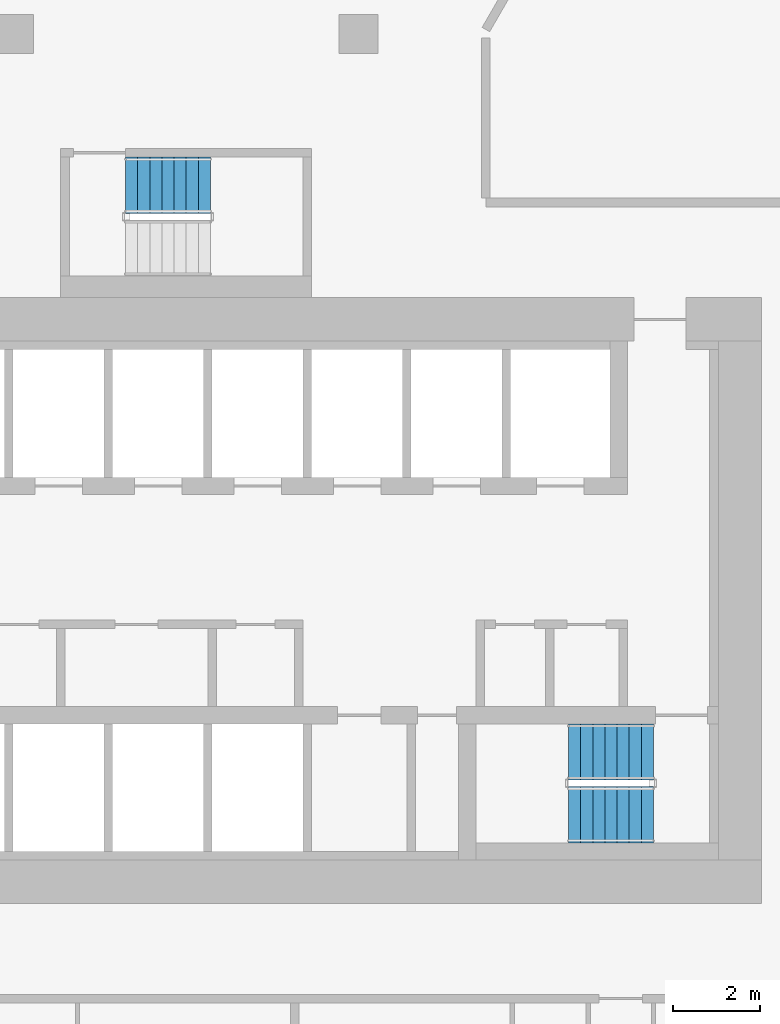
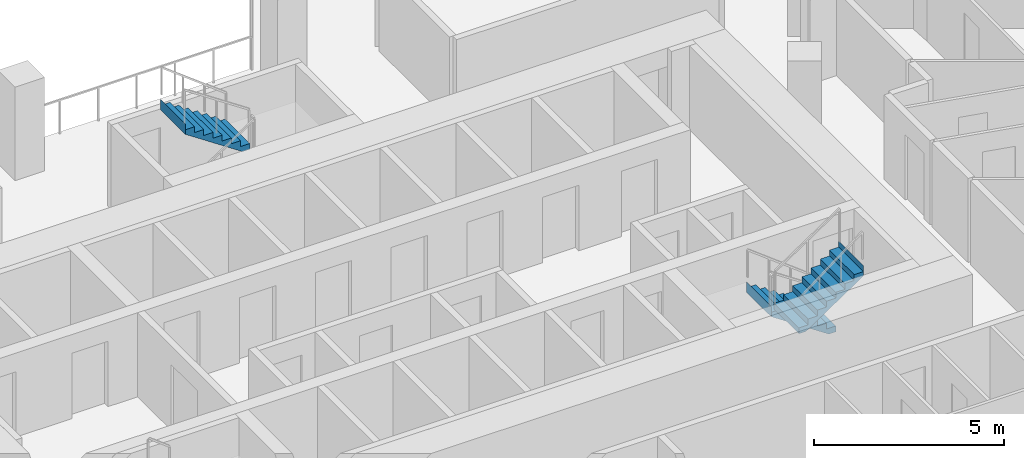
# One storey, part 12 of 16: 3 stair flights, 2 elements without a shape of their own.
"""IFC4 building model written with IfcOpenShell, lengths in metres."""

from ifc_helpers import new_model, si_unit, direction, frame, origin, place, context, subcontext, project, spatial, triangles, material, type_object, element, aggregate, save


model = new_model("IFC4")

# Units and contexts
model_context = context("Model", 3, precision=1e-05, world=origin(), true_north=direction((0.0, 1.0)))
body_context = subcontext(model_context, "Body", "Model", "MODEL_VIEW")
ifc_project = project(units=[si_unit("LENGTHUNIT", "METRE"), si_unit("AREAUNIT", "SQUARE_METRE"), si_unit("VOLUMEUNIT", "CUBIC_METRE"), si_unit("PLANEANGLEUNIT", "RADIAN"), si_unit("MASSUNIT", "GRAM", prefix="KILO")], contexts=[model_context])

# Site, building, storey
site_placement = place(None, origin())
site = spatial("IfcSite", under=ifc_project, at=site_placement, CompositionType="ELEMENT")
building_placement = place(site_placement, origin())
building = spatial("IfcBuilding", under=site, at=building_placement, Name="Beryl Residences", CompositionType="ELEMENT")
storey_placement = place(building_placement, frame((0.0, 0.0, 90.0)))
storey = spatial("IfcBuildingStorey", under=building, at=storey_placement, Name="L27", CompositionType="ELEMENT", Elevation=90.0)

# Stair, stair flights
ifc_material_1 = material(Name="Concrete C40/50", Category="concrete")
stair_type = type_object("IfcStairType", Name="ST1 protected exit stair, half-turn, 1300 mm flights", PredefinedType="HALF_TURN_STAIR", material=ifc_material_1)
stair_1_placement = place(storey_placement, origin())
stair_1 = element("IfcStair", 1, at=stair_1_placement, inside=storey, type_object=stair_type, Name="L27 PROTECTED EXIT STAIR ST-3", PredefinedType="HALF_TURN_STAIR")
ifc_material_2 = material(Name="Concrete C40/50", Category="concrete")
stair_flight_type = type_object("IfcStairFlightType", Name="SF1 stair flight 1300 mm", PredefinedType="STRAIGHT", material=ifc_material_2)
stair_flight_1_placement = place(storey_placement, frame((10.800048828125, -15.5, 0.0), z_axis=(0.0, 0.0, 1.0), x_axis=(-1.0, 0.0, 0.0)))
stair_flight_1 = element("IfcStairFlight", 2, at=stair_flight_1_placement, type_object=stair_flight_type, Name="ST-3 flight 1", NumberOfRisers=8, NumberOfTreads=7, PredefinedType="STRAIGHT", RiserHeight=0.1875, TreadLength=0.28, context=body_context, shape_type="Tessellation", body=[
    triangles([(0.0, -0.64990234375, 0.0), (0.0, -0.324951171875, 0.0), (0.0, 0.0, 0.0), (0.0, 0.324951171875, 0.0), (0.0, 0.64990234375, 0.0), (0.0, -0.64990234375, 0.1875), (0.0, -0.324951171875, 0.1875), (0.0, 0.0, 0.1875), (0.0, 0.324951171875, 0.1875), (0.0, 0.64990234375, 0.1875), (0.280029296875, -0.64990234375, 0.1875), (0.280029296875, -0.324951171875, 0.1875), (0.280029296875, 0.0, 0.1875), (0.280029296875, 0.324951171875, 0.1875), (0.280029296875, 0.64990234375, 0.1875), (0.280029296875, -0.64990234375, 0.375), (0.280029296875, -0.324951171875, 0.375), (0.280029296875, 0.0, 0.375), (0.280029296875, 0.324951171875, 0.375), (0.280029296875, 0.64990234375, 0.375), (0.56005859375, -0.64990234375, 0.375), (0.56005859375, -0.324951171875, 0.375), (0.56005859375, 0.0, 0.375), (0.56005859375, 0.324951171875, 0.375), (0.56005859375, 0.64990234375, 0.375), (0.56005859375, -0.64990234375, 0.5625), (0.56005859375, -0.324951171875, 0.5625), (0.56005859375, 0.0, 0.5625), (0.56005859375, 0.324951171875, 0.5625), (0.56005859375, 0.64990234375, 0.5625), (0.840087890625, -0.64990234375, 0.5625), (0.840087890625, -0.324951171875, 0.5625), (0.840087890625, 0.0, 0.5625), (0.840087890625, 0.324951171875, 0.5625), (0.840087890625, 0.64990234375, 0.5625), (0.840087890625, -0.64990234375, 0.75), (0.840087890625, -0.324951171875, 0.75), (0.840087890625, 0.0, 0.75), (0.840087890625, 0.324951171875, 0.75), (0.840087890625, 0.64990234375, 0.75), (1.1201171875, -0.64990234375, 0.75), (1.1201171875, -0.324951171875, 0.75), (1.1201171875, 0.0, 0.75), (1.1201171875, 0.324951171875, 0.75), (1.1201171875, 0.64990234375, 0.75), (1.1201171875, -0.64990234375, 0.9375), (1.1201171875, -0.324951171875, 0.9375), (1.1201171875, 0.0, 0.9375), (1.1201171875, 0.324951171875, 0.9375), (1.1201171875, 0.64990234375, 0.9375), (1.39990234375, -0.64990234375, 0.9375), (1.39990234375, -0.324951171875, 0.9375), (1.39990234375, 0.0, 0.9375), (1.39990234375, 0.324951171875, 0.9375), (1.39990234375, 0.64990234375, 0.9375), (1.39990234375, -0.64990234375, 1.125), (1.39990234375, -0.324951171875, 1.125), (1.39990234375, 0.0, 1.125), (1.39990234375, 0.324951171875, 1.125), (1.39990234375, 0.64990234375, 1.125), (1.679931640625, -0.64990234375, 1.125), (1.679931640625, -0.324951171875, 1.125), (1.679931640625, 0.0, 1.125), (1.679931640625, 0.324951171875, 1.125), (1.679931640625, 0.64990234375, 1.125), (1.679931640625, -0.64990234375, 1.3125), (1.679931640625, -0.324951171875, 1.3125), (1.679931640625, 0.0, 1.3125), (1.679931640625, 0.324951171875, 1.3125), (1.679931640625, 0.64990234375, 1.3125), (1.9599609375, -0.64990234375, 1.3125), (1.9599609375, -0.324951171875, 1.3125), (1.9599609375, 0.0, 1.3125), (1.9599609375, 0.324951171875, 1.3125), (1.9599609375, 0.64990234375, 1.3125), (1.9599609375, -0.64990234375, 1.5), (1.9599609375, -0.324951171875, 1.5), (1.9599609375, 0.0, 1.5), (1.9599609375, 0.324951171875, 1.5), (1.9599609375, 0.64990234375, 1.5), (1.9609375, -0.64990234375, 1.5), (1.9609375, -0.324951171875, 1.5), (1.9609375, 0.0, 1.5), (1.9609375, 0.324951171875, 1.5), (1.9609375, 0.64990234375, 1.5), (1.9609375, -0.64990234375, 1.16796875), (1.9609375, -0.324951171875, 1.16796875), (1.9609375, 0.0, 1.16796875), (1.9609375, 0.324951171875, 1.16796875), (1.9609375, 0.64990234375, 1.16796875), (0.216796875, -0.64990234375, 0.0), (0.216796875, -0.324951171875, 0.0), (0.216796875, 0.0, 0.0), (0.216796875, 0.324951171875, 0.0), (0.216796875, 0.64990234375, 0.0)], [[1, 6, 7], [1, 7, 2], [2, 7, 8], [2, 8, 3], [3, 8, 9], [3, 9, 4], [4, 9, 10], [4, 10, 5], [6, 11, 12], [6, 12, 7], [7, 12, 13], [7, 13, 8], [8, 13, 14], [8, 14, 9], [9, 14, 15], [9, 15, 10], [11, 16, 17], [11, 17, 12], [12, 17, 18], [12, 18, 13], [13, 18, 19], [13, 19, 14], [14, 19, 20], [14, 20, 15], [16, 21, 22], [16, 22, 17], [17, 22, 23], [17, 23, 18], [18, 23, 24], [18, 24, 19], [19, 24, 25], [19, 25, 20], [21, 26, 27], [21, 27, 22], [22, 27, 28], [22, 28, 23], [23, 28, 29], [23, 29, 24], [24, 29, 30], [24, 30, 25], [26, 31, 32], [26, 32, 27], [27, 32, 33], [27, 33, 28], [28, 33, 34], [28, 34, 29], [29, 34, 35], [29, 35, 30], [31, 36, 37], [31, 37, 32], [32, 37, 38], [32, 38, 33], [33, 38, 39], [33, 39, 34], [34, 39, 40], [34, 40, 35], [36, 41, 42], [36, 42, 37], [37, 42, 43], [37, 43, 38], [38, 43, 44], [38, 44, 39], [39, 44, 45], [39, 45, 40], [41, 46, 47], [41, 47, 42], [42, 47, 48], [42, 48, 43], [43, 48, 49], [43, 49, 44], [44, 49, 50], [44, 50, 45], [46, 51, 52], [46, 52, 47], [47, 52, 53], [47, 53, 48], [48, 53, 54], [48, 54, 49], [49, 54, 55], [49, 55, 50], [51, 56, 57], [51, 57, 52], [52, 57, 58], [52, 58, 53], [53, 58, 59], [53, 59, 54], [54, 59, 60], [54, 60, 55], [56, 61, 62], [56, 62, 57], [57, 62, 63], [57, 63, 58], [58, 63, 64], [58, 64, 59], [59, 64, 65], [59, 65, 60], [61, 66, 67], [61, 67, 62], [62, 67, 68], [62, 68, 63], [63, 68, 69], [63, 69, 64], [64, 69, 70], [64, 70, 65], [66, 71, 72], [66, 72, 67], [67, 72, 73], [67, 73, 68], [68, 73, 74], [68, 74, 69], [69, 74, 75], [69, 75, 70], [71, 76, 77], [71, 77, 72], [72, 77, 78], [72, 78, 73], [73, 78, 79], [73, 79, 74], [74, 79, 80], [74, 80, 75], [76, 81, 82], [76, 82, 77], [77, 82, 83], [77, 83, 78], [78, 83, 84], [78, 84, 79], [79, 84, 85], [79, 85, 80], [81, 86, 87], [81, 87, 82], [82, 87, 88], [82, 88, 83], [83, 88, 89], [83, 89, 84], [84, 89, 90], [84, 90, 85], [86, 91, 92], [86, 92, 87], [87, 92, 93], [87, 93, 88], [88, 93, 94], [88, 94, 89], [89, 94, 95], [89, 95, 90], [91, 1, 2], [91, 2, 92], [92, 2, 3], [92, 3, 93], [93, 3, 4], [93, 4, 94], [94, 4, 5], [94, 5, 95], [1, 91, 86], [5, 90, 95], [86, 81, 76], [90, 80, 85], [86, 76, 71], [90, 75, 80], [86, 71, 66], [90, 70, 75], [86, 66, 61], [90, 65, 70], [61, 56, 51], [65, 55, 60], [86, 61, 51], [90, 55, 65], [51, 46, 41], [55, 45, 50], [86, 51, 41], [90, 45, 55], [41, 36, 31], [45, 35, 40], [86, 41, 31], [90, 35, 45], [31, 26, 21], [35, 25, 30], [86, 31, 21], [90, 25, 35], [21, 16, 11], [25, 15, 20], [86, 21, 11], [90, 15, 25], [1, 86, 11], [5, 15, 90], [11, 6, 1], [15, 5, 10]], closed=True),
])
stair_flight_2_placement = place(storey_placement, frame((8.840087890625, -16.949951171875, 1.5), z_axis=(0.0, 0.0, 1.0), x_axis=(1.0, 0.0, 0.0)))
stair_flight_2 = element("IfcStairFlight", 3, at=stair_flight_2_placement, type_object=stair_flight_type, Name="ST-3 flight 2", NumberOfRisers=8, NumberOfTreads=7, PredefinedType="STRAIGHT", RiserHeight=0.1875, TreadLength=0.28, context=body_context, shape_type="Tessellation", body=[
    triangles([(0.0, -0.64990234375, 0.0), (0.0, -0.324951171875, 0.0), (0.0, 0.0, 0.0), (0.0, 0.324951171875, 0.0), (0.0, 0.64990234375, 0.0), (0.0, -0.64990234375, 0.1875), (0.0, -0.324951171875, 0.1875), (0.0, 0.0, 0.1875), (0.0, 0.324951171875, 0.1875), (0.0, 0.64990234375, 0.1875), (0.280029296875, -0.64990234375, 0.1875), (0.280029296875, -0.324951171875, 0.1875), (0.280029296875, 0.0, 0.1875), (0.280029296875, 0.324951171875, 0.1875), (0.280029296875, 0.64990234375, 0.1875), (0.280029296875, -0.64990234375, 0.375), (0.280029296875, -0.324951171875, 0.375), (0.280029296875, 0.0, 0.375), (0.280029296875, 0.324951171875, 0.375), (0.280029296875, 0.64990234375, 0.375), (0.56005859375, -0.64990234375, 0.375), (0.56005859375, -0.324951171875, 0.375), (0.56005859375, 0.0, 0.375), (0.56005859375, 0.324951171875, 0.375), (0.56005859375, 0.64990234375, 0.375), (0.56005859375, -0.64990234375, 0.5625), (0.56005859375, -0.324951171875, 0.5625), (0.56005859375, 0.0, 0.5625), (0.56005859375, 0.324951171875, 0.5625), (0.56005859375, 0.64990234375, 0.5625), (0.840087890625, -0.64990234375, 0.5625), (0.840087890625, -0.324951171875, 0.5625), (0.840087890625, 0.0, 0.5625), (0.840087890625, 0.324951171875, 0.5625), (0.840087890625, 0.64990234375, 0.5625), (0.840087890625, -0.64990234375, 0.75), (0.840087890625, -0.324951171875, 0.75), (0.840087890625, 0.0, 0.75), (0.840087890625, 0.324951171875, 0.75), (0.840087890625, 0.64990234375, 0.75), (1.1201171875, -0.64990234375, 0.75), (1.1201171875, -0.324951171875, 0.75), (1.1201171875, 0.0, 0.75), (1.1201171875, 0.324951171875, 0.75), (1.1201171875, 0.64990234375, 0.75), (1.1201171875, -0.64990234375, 0.9375), (1.1201171875, -0.324951171875, 0.9375), (1.1201171875, 0.0, 0.9375), (1.1201171875, 0.324951171875, 0.9375), (1.1201171875, 0.64990234375, 0.9375), (1.39990234375, -0.64990234375, 0.9375), (1.39990234375, -0.324951171875, 0.9375), (1.39990234375, 0.0, 0.9375), (1.39990234375, 0.324951171875, 0.9375), (1.39990234375, 0.64990234375, 0.9375), (1.39990234375, -0.64990234375, 1.125), (1.39990234375, -0.324951171875, 1.125), (1.39990234375, 0.0, 1.125), (1.39990234375, 0.324951171875, 1.125), (1.39990234375, 0.64990234375, 1.125), (1.679931640625, -0.64990234375, 1.125), (1.679931640625, -0.324951171875, 1.125), (1.679931640625, 0.0, 1.125), (1.679931640625, 0.324951171875, 1.125), (1.679931640625, 0.64990234375, 1.125), (1.679931640625, -0.64990234375, 1.3125), (1.679931640625, -0.324951171875, 1.3125), (1.679931640625, 0.0, 1.3125), (1.679931640625, 0.324951171875, 1.3125), (1.679931640625, 0.64990234375, 1.3125), (1.9599609375, -0.64990234375, 1.3125), (1.9599609375, -0.324951171875, 1.3125), (1.9599609375, 0.0, 1.3125), (1.9599609375, 0.324951171875, 1.3125), (1.9599609375, 0.64990234375, 1.3125), (1.9599609375, -0.64990234375, 1.5), (1.9599609375, -0.324951171875, 1.5), (1.9599609375, 0.0, 1.5), (1.9599609375, 0.324951171875, 1.5), (1.9599609375, 0.64990234375, 1.5), (1.9609375, -0.64990234375, 1.5), (1.9609375, -0.324951171875, 1.5), (1.9609375, 0.0, 1.5), (1.9609375, 0.324951171875, 1.5), (1.9609375, 0.64990234375, 1.5), (1.9609375, -0.64990234375, 1.16796875), (1.9609375, -0.324951171875, 1.16796875), (1.9609375, 0.0, 1.16796875), (1.9609375, 0.324951171875, 1.16796875), (1.9609375, 0.64990234375, 1.16796875), (0.216796875, -0.64990234375, 0.0), (0.216796875, -0.324951171875, 0.0), (0.216796875, 0.0, 0.0), (0.216796875, 0.324951171875, 0.0), (0.216796875, 0.64990234375, 0.0)], [[1, 6, 7], [1, 7, 2], [2, 7, 8], [2, 8, 3], [3, 8, 9], [3, 9, 4], [4, 9, 10], [4, 10, 5], [6, 11, 12], [6, 12, 7], [7, 12, 13], [7, 13, 8], [8, 13, 14], [8, 14, 9], [9, 14, 15], [9, 15, 10], [11, 16, 17], [11, 17, 12], [12, 17, 18], [12, 18, 13], [13, 18, 19], [13, 19, 14], [14, 19, 20], [14, 20, 15], [16, 21, 22], [16, 22, 17], [17, 22, 23], [17, 23, 18], [18, 23, 24], [18, 24, 19], [19, 24, 25], [19, 25, 20], [21, 26, 27], [21, 27, 22], [22, 27, 28], [22, 28, 23], [23, 28, 29], [23, 29, 24], [24, 29, 30], [24, 30, 25], [26, 31, 32], [26, 32, 27], [27, 32, 33], [27, 33, 28], [28, 33, 34], [28, 34, 29], [29, 34, 35], [29, 35, 30], [31, 36, 37], [31, 37, 32], [32, 37, 38], [32, 38, 33], [33, 38, 39], [33, 39, 34], [34, 39, 40], [34, 40, 35], [36, 41, 42], [36, 42, 37], [37, 42, 43], [37, 43, 38], [38, 43, 44], [38, 44, 39], [39, 44, 45], [39, 45, 40], [41, 46, 47], [41, 47, 42], [42, 47, 48], [42, 48, 43], [43, 48, 49], [43, 49, 44], [44, 49, 50], [44, 50, 45], [46, 51, 52], [46, 52, 47], [47, 52, 53], [47, 53, 48], [48, 53, 54], [48, 54, 49], [49, 54, 55], [49, 55, 50], [51, 56, 57], [51, 57, 52], [52, 57, 58], [52, 58, 53], [53, 58, 59], [53, 59, 54], [54, 59, 60], [54, 60, 55], [56, 61, 62], [56, 62, 57], [57, 62, 63], [57, 63, 58], [58, 63, 64], [58, 64, 59], [59, 64, 65], [59, 65, 60], [61, 66, 67], [61, 67, 62], [62, 67, 68], [62, 68, 63], [63, 68, 69], [63, 69, 64], [64, 69, 70], [64, 70, 65], [66, 71, 72], [66, 72, 67], [67, 72, 73], [67, 73, 68], [68, 73, 74], [68, 74, 69], [69, 74, 75], [69, 75, 70], [71, 76, 77], [71, 77, 72], [72, 77, 78], [72, 78, 73], [73, 78, 79], [73, 79, 74], [74, 79, 80], [74, 80, 75], [76, 81, 82], [76, 82, 77], [77, 82, 83], [77, 83, 78], [78, 83, 84], [78, 84, 79], [79, 84, 85], [79, 85, 80], [81, 86, 87], [81, 87, 82], [82, 87, 88], [82, 88, 83], [83, 88, 89], [83, 89, 84], [84, 89, 90], [84, 90, 85], [86, 91, 92], [86, 92, 87], [87, 92, 93], [87, 93, 88], [88, 93, 94], [88, 94, 89], [89, 94, 95], [89, 95, 90], [91, 1, 2], [91, 2, 92], [92, 2, 3], [92, 3, 93], [93, 3, 4], [93, 4, 94], [94, 4, 5], [94, 5, 95], [1, 91, 86], [5, 90, 95], [86, 81, 76], [90, 80, 85], [86, 76, 71], [90, 75, 80], [86, 71, 66], [90, 70, 75], [86, 66, 61], [90, 65, 70], [61, 56, 51], [65, 55, 60], [86, 61, 51], [90, 55, 65], [51, 46, 41], [55, 45, 50], [86, 51, 41], [90, 45, 55], [41, 36, 31], [45, 35, 40], [86, 41, 31], [90, 35, 45], [31, 26, 21], [35, 25, 30], [86, 31, 21], [90, 25, 35], [21, 16, 11], [25, 15, 20], [86, 21, 11], [90, 15, 25], [1, 86, 11], [5, 15, 90], [11, 6, 1], [15, 5, 10]], closed=True),
])
aggregate(stair_1, [stair_flight_1, stair_flight_2])

# Stair, stair flight
stair_2_placement = place(storey_placement, origin())
stair_2 = element("IfcStair", 4, at=stair_2_placement, inside=storey, type_object=stair_type, Name="L27 PROTECTED EXIT STAIR ST-4", PredefinedType="HALF_TURN_STAIR")
stair_flight_3_placement = place(storey_placement, frame((0.56005859375, -2.39990234375, 1.5), z_axis=(0.0, 0.0, 1.0), x_axis=(-1.0, 0.0, 0.0)))
stair_flight_3 = element("IfcStairFlight", 5, at=stair_flight_3_placement, type_object=stair_flight_type, Name="ST-4 flight 2", NumberOfRisers=8, NumberOfTreads=7, PredefinedType="STRAIGHT", RiserHeight=0.1875, TreadLength=0.28, context=body_context, shape_type="Tessellation", body=[
    triangles([(0.0, -0.64990234375, 0.0), (0.0, -0.324951171875, 0.0), (0.0, 0.0, 0.0), (0.0, 0.324951171875, 0.0), (0.0, 0.64990234375, 0.0), (0.0, -0.64990234375, 0.1875), (0.0, -0.324951171875, 0.1875), (0.0, 0.0, 0.1875), (0.0, 0.324951171875, 0.1875), (0.0, 0.64990234375, 0.1875), (0.280029296875, -0.64990234375, 0.1875), (0.280029296875, -0.324951171875, 0.1875), (0.280029296875, 0.0, 0.1875), (0.280029296875, 0.324951171875, 0.1875), (0.280029296875, 0.64990234375, 0.1875), (0.280029296875, -0.64990234375, 0.375), (0.280029296875, -0.324951171875, 0.375), (0.280029296875, 0.0, 0.375), (0.280029296875, 0.324951171875, 0.375), (0.280029296875, 0.64990234375, 0.375), (0.56005859375, -0.64990234375, 0.375), (0.56005859375, -0.324951171875, 0.375), (0.56005859375, 0.0, 0.375), (0.56005859375, 0.324951171875, 0.375), (0.56005859375, 0.64990234375, 0.375), (0.56005859375, -0.64990234375, 0.5625), (0.56005859375, -0.324951171875, 0.5625), (0.56005859375, 0.0, 0.5625), (0.56005859375, 0.324951171875, 0.5625), (0.56005859375, 0.64990234375, 0.5625), (0.840087890625, -0.64990234375, 0.5625), (0.840087890625, -0.324951171875, 0.5625), (0.840087890625, 0.0, 0.5625), (0.840087890625, 0.324951171875, 0.5625), (0.840087890625, 0.64990234375, 0.5625), (0.840087890625, -0.64990234375, 0.75), (0.840087890625, -0.324951171875, 0.75), (0.840087890625, 0.0, 0.75), (0.840087890625, 0.324951171875, 0.75), (0.840087890625, 0.64990234375, 0.75), (1.1201171875, -0.64990234375, 0.75), (1.1201171875, -0.324951171875, 0.75), (1.1201171875, 0.0, 0.75), (1.1201171875, 0.324951171875, 0.75), (1.1201171875, 0.64990234375, 0.75), (1.1201171875, -0.64990234375, 0.9375), (1.1201171875, -0.324951171875, 0.9375), (1.1201171875, 0.0, 0.9375), (1.1201171875, 0.324951171875, 0.9375), (1.1201171875, 0.64990234375, 0.9375), (1.39990234375, -0.64990234375, 0.9375), (1.39990234375, -0.324951171875, 0.9375), (1.39990234375, 0.0, 0.9375), (1.39990234375, 0.324951171875, 0.9375), (1.39990234375, 0.64990234375, 0.9375), (1.39990234375, -0.64990234375, 1.125), (1.39990234375, -0.324951171875, 1.125), (1.39990234375, 0.0, 1.125), (1.39990234375, 0.324951171875, 1.125), (1.39990234375, 0.64990234375, 1.125), (1.679931640625, -0.64990234375, 1.125), (1.679931640625, -0.324951171875, 1.125), (1.679931640625, 0.0, 1.125), (1.679931640625, 0.324951171875, 1.125), (1.679931640625, 0.64990234375, 1.125), (1.679931640625, -0.64990234375, 1.3125), (1.679931640625, -0.324951171875, 1.3125), (1.679931640625, 0.0, 1.3125), (1.679931640625, 0.324951171875, 1.3125), (1.679931640625, 0.64990234375, 1.3125), (1.9599609375, -0.64990234375, 1.3125), (1.9599609375, -0.324951171875, 1.3125), (1.9599609375, 0.0, 1.3125), (1.9599609375, 0.324951171875, 1.3125), (1.9599609375, 0.64990234375, 1.3125), (1.9599609375, -0.64990234375, 1.5), (1.9599609375, -0.324951171875, 1.5), (1.9599609375, 0.0, 1.5), (1.9599609375, 0.324951171875, 1.5), (1.9599609375, 0.64990234375, 1.5), (1.9609375, -0.64990234375, 1.5), (1.9609375, -0.324951171875, 1.5), (1.9609375, 0.0, 1.5), (1.9609375, 0.324951171875, 1.5), (1.9609375, 0.64990234375, 1.5), (1.9609375, -0.64990234375, 1.16796875), (1.9609375, -0.324951171875, 1.16796875), (1.9609375, 0.0, 1.16796875), (1.9609375, 0.324951171875, 1.16796875), (1.9609375, 0.64990234375, 1.16796875), (0.216796875, -0.64990234375, 0.0), (0.216796875, -0.324951171875, 0.0), (0.216796875, 0.0, 0.0), (0.216796875, 0.324951171875, 0.0), (0.216796875, 0.64990234375, 0.0)], [[1, 6, 7], [1, 7, 2], [2, 7, 8], [2, 8, 3], [3, 8, 9], [3, 9, 4], [4, 9, 10], [4, 10, 5], [6, 11, 12], [6, 12, 7], [7, 12, 13], [7, 13, 8], [8, 13, 14], [8, 14, 9], [9, 14, 15], [9, 15, 10], [11, 16, 17], [11, 17, 12], [12, 17, 18], [12, 18, 13], [13, 18, 19], [13, 19, 14], [14, 19, 20], [14, 20, 15], [16, 21, 22], [16, 22, 17], [17, 22, 23], [17, 23, 18], [18, 23, 24], [18, 24, 19], [19, 24, 25], [19, 25, 20], [21, 26, 27], [21, 27, 22], [22, 27, 28], [22, 28, 23], [23, 28, 29], [23, 29, 24], [24, 29, 30], [24, 30, 25], [26, 31, 32], [26, 32, 27], [27, 32, 33], [27, 33, 28], [28, 33, 34], [28, 34, 29], [29, 34, 35], [29, 35, 30], [31, 36, 37], [31, 37, 32], [32, 37, 38], [32, 38, 33], [33, 38, 39], [33, 39, 34], [34, 39, 40], [34, 40, 35], [36, 41, 42], [36, 42, 37], [37, 42, 43], [37, 43, 38], [38, 43, 44], [38, 44, 39], [39, 44, 45], [39, 45, 40], [41, 46, 47], [41, 47, 42], [42, 47, 48], [42, 48, 43], [43, 48, 49], [43, 49, 44], [44, 49, 50], [44, 50, 45], [46, 51, 52], [46, 52, 47], [47, 52, 53], [47, 53, 48], [48, 53, 54], [48, 54, 49], [49, 54, 55], [49, 55, 50], [51, 56, 57], [51, 57, 52], [52, 57, 58], [52, 58, 53], [53, 58, 59], [53, 59, 54], [54, 59, 60], [54, 60, 55], [56, 61, 62], [56, 62, 57], [57, 62, 63], [57, 63, 58], [58, 63, 64], [58, 64, 59], [59, 64, 65], [59, 65, 60], [61, 66, 67], [61, 67, 62], [62, 67, 68], [62, 68, 63], [63, 68, 69], [63, 69, 64], [64, 69, 70], [64, 70, 65], [66, 71, 72], [66, 72, 67], [67, 72, 73], [67, 73, 68], [68, 73, 74], [68, 74, 69], [69, 74, 75], [69, 75, 70], [71, 76, 77], [71, 77, 72], [72, 77, 78], [72, 78, 73], [73, 78, 79], [73, 79, 74], [74, 79, 80], [74, 80, 75], [76, 81, 82], [76, 82, 77], [77, 82, 83], [77, 83, 78], [78, 83, 84], [78, 84, 79], [79, 84, 85], [79, 85, 80], [81, 86, 87], [81, 87, 82], [82, 87, 88], [82, 88, 83], [83, 88, 89], [83, 89, 84], [84, 89, 90], [84, 90, 85], [86, 91, 92], [86, 92, 87], [87, 92, 93], [87, 93, 88], [88, 93, 94], [88, 94, 89], [89, 94, 95], [89, 95, 90], [91, 1, 2], [91, 2, 92], [92, 2, 3], [92, 3, 93], [93, 3, 4], [93, 4, 94], [94, 4, 5], [94, 5, 95], [1, 91, 86], [5, 90, 95], [86, 81, 76], [90, 80, 85], [86, 76, 71], [90, 75, 80], [86, 71, 66], [90, 70, 75], [86, 66, 61], [90, 65, 70], [61, 56, 51], [65, 55, 60], [86, 61, 51], [90, 55, 65], [51, 46, 41], [55, 45, 50], [86, 51, 41], [90, 45, 55], [41, 36, 31], [45, 35, 40], [86, 41, 31], [90, 35, 45], [31, 26, 21], [35, 25, 30], [86, 31, 21], [90, 25, 35], [21, 16, 11], [25, 15, 20], [86, 21, 11], [90, 15, 25], [1, 86, 11], [5, 15, 90], [11, 6, 1], [15, 5, 10]], closed=True),
])
aggregate(stair_2, [stair_flight_3])

save(model, "model.ifc")
